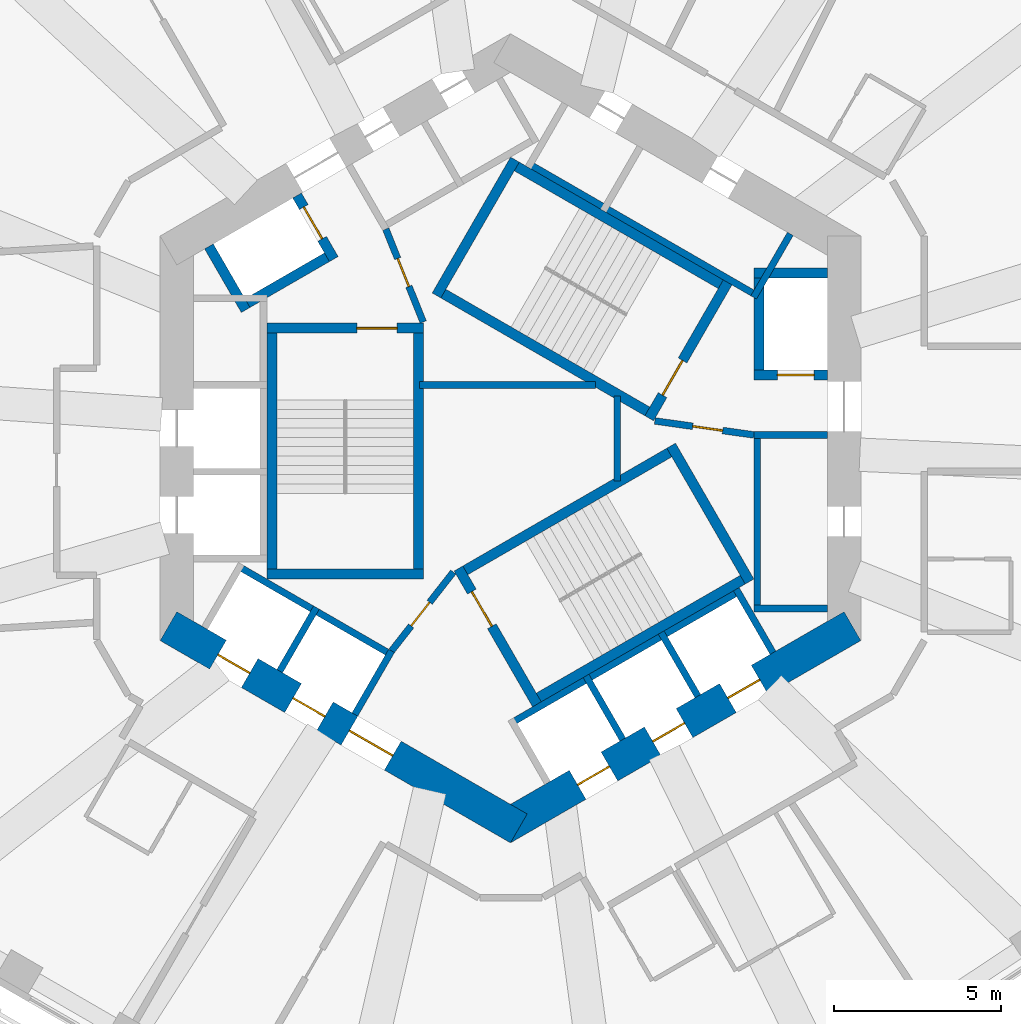
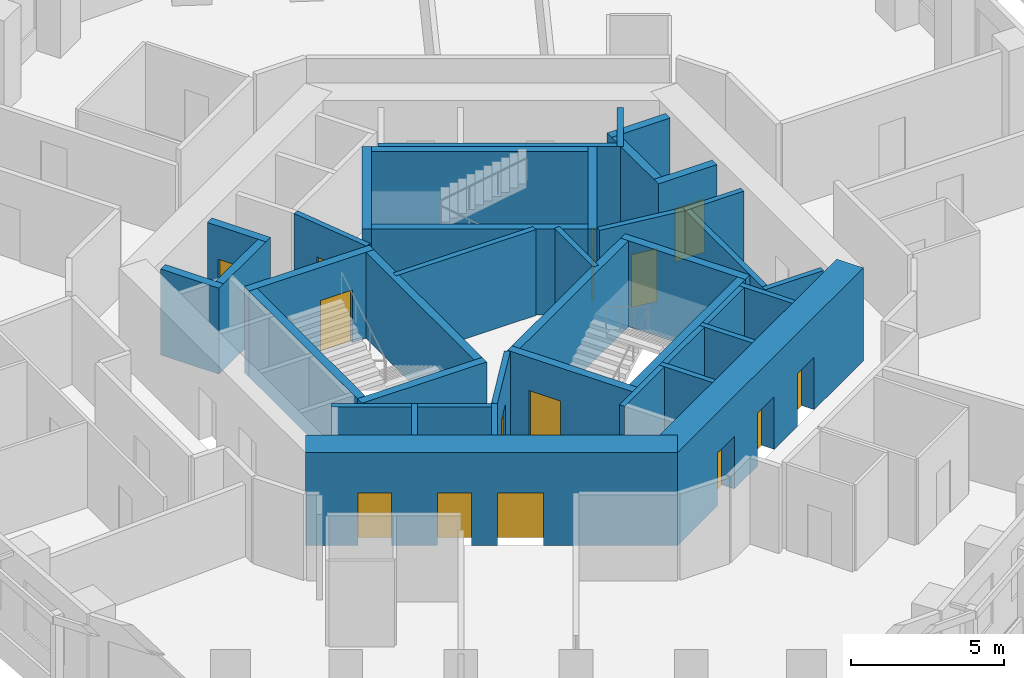
# One storey, part 5 of 11: 37 walls, 14 doors, 14 openings.
"""IFC4 building model written with IfcOpenShell, lengths in metres."""

from ifc_helpers import new_model, si_unit, direction, frame, frame_2d, origin, place, context, subcontext, project, spatial, rectangle, extrude, material, layer, layer_set, type_object, element, fill, save


model = new_model("IFC4")

# Units and contexts
model_context = context("Model", 3, precision=1e-05, world=origin(), true_north=direction((0.0, 1.0)))
body_context = subcontext(model_context, "Body", "Model", "MODEL_VIEW")
ifc_project = project(units=[si_unit("LENGTHUNIT", "METRE"), si_unit("AREAUNIT", "SQUARE_METRE"), si_unit("VOLUMEUNIT", "CUBIC_METRE"), si_unit("PLANEANGLEUNIT", "RADIAN"), si_unit("MASSUNIT", "GRAM", prefix="KILO")], contexts=[model_context])

# Site, building, storey
site_placement = place(None, origin())
site = spatial("IfcSite", under=ifc_project, at=site_placement, CompositionType="ELEMENT")
building_placement = place(site_placement, origin())
building = spatial("IfcBuilding", under=site, at=building_placement, Name="Vanh Sen Convention Tower", CompositionType="ELEMENT")
storey_placement = place(building_placement, frame((0.0, 0.0, 146.60009765625)))
storey = spatial("IfcBuildingStorey", under=building, at=storey_placement, Name="L35", CompositionType="ELEMENT", Elevation=146.60009765625)

# Wall, openings, doors
ifc_material_1 = material(Name="Concrete C80/95", Category="concrete")
ifc_layer_1 = layer(ifc_material_1, 1.0)
ifc_layer_set_1 = layer_set([ifc_layer_1], Name="Concrete C80/95")
wall_type_1 = type_object("IfcWallType", Name="Core outer wall 1000 C80/95", PredefinedType="SHEAR", material=ifc_layer_set_1)
wall_1_placement = place(storey_placement, frame((-10.25, -5.629150390625, 0.0), z_axis=(0.0, 0.0, 1.0), x_axis=(0.866022616891, -0.50000482701, 0.0)))
wall_1 = element("IfcWall", 1, at=wall_1_placement, inside=storey, type_object=wall_type_1, Name="Core wall face SW L35", PredefinedType="SHEAR", context=body_context, shape_type="SweptSolid", body=[
    extrude(rectangle(XDim=12.12451171875, YDim=1.0, at=frame_2d((6.062255859375, 0.0))), origin(), (0.0, 0.0, 1.0), 3.699951171875),
])
opening_1_placement = place(wall_1_placement, frame((6.26220703125, 0.0, 0.0)))
opening_1 = element("IfcOpeningElement", 2, at=opening_1_placement, cuts=wall_1, Name="Opening D35003", PredefinedType="OPENING", context=body_context, shape_type="SweptSolid", body=[
    extrude(rectangle(XDim=1.5, YDim=2.10009765625, at=frame_2d((0.75, 1.050048828125))), frame((0.0, 0.510009765625, 0.0), z_axis=(0.0, -1.0, 0.0), x_axis=(1.0, 0.0, 0.0)), (0.0, 0.0, 1.0), 1.02001953125),
])
opening_2_placement = place(wall_1_placement, frame((1.712158203125, 0.0, 0.0)))
opening_2 = element("IfcOpeningElement", 3, at=opening_2_placement, cuts=wall_1, Name="Opening LD-HR3", PredefinedType="OPENING", context=body_context, shape_type="SweptSolid", body=[
    extrude(rectangle(XDim=1.10009765625, YDim=2.10009765625, at=frame_2d((0.550048828125, 1.050048828125))), frame((0.0, 0.510009765625, 0.0), z_axis=(0.0, -1.0, 0.0), x_axis=(1.0, 0.0, 0.0)), (0.0, 0.0, 1.0), 1.02001953125),
])
opening_3_placement = place(wall_1_placement, frame((4.312255859375, 0.0, 0.0)))
opening_3 = element("IfcOpeningElement", 4, at=opening_3_placement, cuts=wall_1, Name="Opening LD-HR4", PredefinedType="OPENING", context=body_context, shape_type="SweptSolid", body=[
    extrude(rectangle(XDim=1.10009765625, YDim=2.10009765625, at=frame_2d((0.550048828125, 1.050048828125))), frame((0.0, 0.510009765625, 0.0), z_axis=(0.0, -1.0, 0.0), x_axis=(1.0, 0.0, 0.0)), (0.0, 0.0, 1.0), 1.02001953125),
])
ifc_material_2 = material(Name="Stainless steel", Category="steel")
door_type_1 = type_object("IfcDoorType", Name="Lift landing door 1100", OperationType="DOUBLE_DOOR_SLIDING", PredefinedType="DOOR", material=ifc_material_2)
door_1_placement = place(opening_2_placement, origin())
door_1 = element("IfcDoor", 5, at=door_1_placement, inside=storey, type_object=door_type_1, Name="Lift HR3 landing door LD-HR3", OperationType="DOUBLE_DOOR_SLIDING", OverallHeight=2.10009765625, OverallWidth=1.10009765625, PredefinedType="DOOR", context=body_context, shape_type="SweptSolid", body=[
    extrude(rectangle(XDim=1.10009765625, YDim=2.10009765625, at=frame_2d((0.550048828125, 1.050048828125))), frame((0.0, 0.02490234375, 0.0), z_axis=(0.0, -1.0, 0.0), x_axis=(1.0, 0.0, 0.0)), (0.0, 0.0, 1.0), 0.050048828125),
])
fill(opening_2, door_1)
door_2_placement = place(opening_3_placement, origin())
door_2 = element("IfcDoor", 6, at=door_2_placement, inside=storey, type_object=door_type_1, Name="Lift HR4 landing door LD-HR4", OperationType="DOUBLE_DOOR_SLIDING", OverallHeight=2.10009765625, OverallWidth=1.10009765625, PredefinedType="DOOR", context=body_context, shape_type="SweptSolid", body=[
    extrude(rectangle(XDim=1.10009765625, YDim=2.10009765625, at=frame_2d((0.550048828125, 1.050048828125))), frame((0.0, 0.02490234375, 0.0), z_axis=(0.0, -1.0, 0.0), x_axis=(1.0, 0.0, 0.0)), (0.0, 0.0, 1.0), 0.050048828125),
])
fill(opening_3, door_2)
ifc_material_3 = material(Name="Steel S355", Category="steel")
door_type_2 = type_object("IfcDoorType", Name="Stair lobby door 1500", OperationType="DOUBLE_DOOR_SINGLE_SWING", PredefinedType="DOOR", material=ifc_material_3)
door_3_placement = place(opening_1_placement, origin())
door_3 = element("IfcDoor", 7, at=door_3_placement, inside=storey, type_object=door_type_2, Name="Stair lobby door D35003", OperationType="DOUBLE_DOOR_SINGLE_SWING", OverallHeight=2.10009765625, OverallWidth=1.5, PredefinedType="DOOR", context=body_context, shape_type="SweptSolid", body=[
    extrude(rectangle(XDim=1.5, YDim=2.10009765625, at=frame_2d((0.75, 1.050048828125))), frame((0.0, 0.02490234375, 0.0), z_axis=(0.0, -1.0, 0.0), x_axis=(1.0, 0.0, 0.0)), (0.0, 0.0, 1.0), 0.050048828125),
])
fill(opening_1, door_3)

wall_2_placement = place(storey_placement, frame((-0.25, -11.69140625, 0.0), z_axis=(0.0, 0.0, 1.0), x_axis=(0.866022616891, 0.50000482701, 0.0)))
wall_2 = element("IfcWall", 8, at=wall_2_placement, inside=storey, type_object=wall_type_1, Name="Core wall face SE L35", PredefinedType="SHEAR", context=body_context, shape_type="SweptSolid", body=[
    extrude(rectangle(XDim=12.12451171875, YDim=1.0, at=frame_2d((6.062255859375, 0.0))), origin(), (0.0, 0.0, 1.0), 3.699951171875),
])
opening_4_placement = place(wall_2_placement, frame((2.6123046875, 0.0, 0.0)))
opening_4 = element("IfcOpeningElement", 9, at=opening_4_placement, cuts=wall_2, Name="Opening LD-HR5", PredefinedType="OPENING", context=body_context, shape_type="SweptSolid", body=[
    extrude(rectangle(XDim=1.10009765625, YDim=2.10009765625, at=frame_2d((0.550048828125, 1.050048828125))), frame((0.0, 0.510009765625, 0.0), z_axis=(0.0, -1.0, 0.0), x_axis=(1.0, 0.0, 0.0)), (0.0, 0.0, 1.0), 1.02001953125),
])
opening_5_placement = place(wall_2_placement, frame((5.212158203125, 0.0, 0.0)))
opening_5 = element("IfcOpeningElement", 10, at=opening_5_placement, cuts=wall_2, Name="Opening LD-HR6", PredefinedType="OPENING", context=body_context, shape_type="SweptSolid", body=[
    extrude(rectangle(XDim=1.10009765625, YDim=2.10009765625, at=frame_2d((0.550048828125, 1.050048828125))), frame((0.0, 0.510009765625, 0.0), z_axis=(0.0, -1.0, 0.0), x_axis=(1.0, 0.0, 0.0)), (0.0, 0.0, 1.0), 1.02001953125),
])
opening_6_placement = place(wall_2_placement, frame((7.812255859375, 0.0, 0.0)))
opening_6 = element("IfcOpeningElement", 11, at=opening_6_placement, cuts=wall_2, Name="Opening LD-SV1", PredefinedType="OPENING", context=body_context, shape_type="SweptSolid", body=[
    extrude(rectangle(XDim=1.10009765625, YDim=2.10009765625, at=frame_2d((0.550048828125, 1.050048828125))), frame((0.0, 0.510009765625, 0.0), z_axis=(0.0, -1.0, 0.0), x_axis=(1.0, 0.0, 0.0)), (0.0, 0.0, 1.0), 1.02001953125),
])
door_4_placement = place(opening_4_placement, origin())
door_4 = element("IfcDoor", 12, at=door_4_placement, inside=storey, type_object=door_type_1, Name="Lift HR5 landing door LD-HR5", OperationType="DOUBLE_DOOR_SLIDING", OverallHeight=2.10009765625, OverallWidth=1.10009765625, PredefinedType="DOOR", context=body_context, shape_type="SweptSolid", body=[
    extrude(rectangle(XDim=1.10009765625, YDim=2.10009765625, at=frame_2d((0.550048828125, 1.050048828125))), frame((0.0, 0.02490234375, 0.0), z_axis=(0.0, -1.0, 0.0), x_axis=(1.0, 0.0, 0.0)), (0.0, 0.0, 1.0), 0.050048828125),
])
fill(opening_4, door_4)
door_5_placement = place(opening_5_placement, origin())
door_5 = element("IfcDoor", 13, at=door_5_placement, inside=storey, type_object=door_type_1, Name="Lift HR6 landing door LD-HR6", OperationType="DOUBLE_DOOR_SLIDING", OverallHeight=2.10009765625, OverallWidth=1.10009765625, PredefinedType="DOOR", context=body_context, shape_type="SweptSolid", body=[
    extrude(rectangle(XDim=1.10009765625, YDim=2.10009765625, at=frame_2d((0.550048828125, 1.050048828125))), frame((0.0, 0.02490234375, 0.0), z_axis=(0.0, -1.0, 0.0), x_axis=(1.0, 0.0, 0.0)), (0.0, 0.0, 1.0), 0.050048828125),
])
fill(opening_5, door_5)
door_6_placement = place(opening_6_placement, origin())
door_6 = element("IfcDoor", 14, at=door_6_placement, inside=storey, type_object=door_type_1, Name="Lift SV1 landing door LD-SV1", OperationType="DOUBLE_DOOR_SLIDING", OverallHeight=2.10009765625, OverallWidth=1.10009765625, PredefinedType="DOOR", context=body_context, shape_type="SweptSolid", body=[
    extrude(rectangle(XDim=1.10009765625, YDim=2.10009765625, at=frame_2d((0.550048828125, 1.050048828125))), frame((0.0, 0.02490234375, 0.0), z_axis=(0.0, -1.0, 0.0), x_axis=(1.0, 0.0, 0.0)), (0.0, 0.0, 1.0), 0.050048828125),
])
fill(opening_6, door_6)

# Walls
ifc_material_4 = material(Name="Masonry blockwork", Category="masonry")
ifc_layer_2 = layer(ifc_material_4, 0.199951171875)
ifc_layer_set_2 = layer_set([ifc_layer_2], Name="Masonry blockwork")
wall_type_2 = type_object("IfcWallType", Name="Core partition 200", PredefinedType="PARTITIONING", material=ifc_layer_set_2)
wall_3_placement = place(storey_placement, frame((-2.719970703125, 1.60009765625, 0.0), z_axis=(0.0, 0.0, 1.0), x_axis=(1.0, 0.0, 0.0)))
element("IfcWall", 15, at=wall_3_placement, inside=storey, type_object=wall_type_2, Name="Core partition L35", PredefinedType="PARTITIONING", context=body_context, shape_type="SweptSolid", body=[
    extrude(rectangle(XDim=5.2685546875, YDim=0.199951171875, at=frame_2d((2.63427734375, 0.0))), origin(), (0.0, 0.0, 1.0), 3.419921875),
])
wall_4_placement = place(storey_placement, frame((3.199951171875, -1.274658203125, 0.0), z_axis=(0.0, 0.0, 1.0), x_axis=(0.0, 1.0, 0.0)))
element("IfcWall", 16, at=wall_4_placement, inside=storey, type_object=wall_type_2, Name="Core partition L35", PredefinedType="PARTITIONING", context=body_context, shape_type="SweptSolid", body=[
    extrude(rectangle(XDim=2.54931640625, YDim=0.199951171875, at=frame_2d((1.274658203125, 0.0))), origin(), (0.0, 0.0, 1.0), 3.419921875),
])

# Wall, opening, door
ifc_material_5 = material(Name="Concrete C60/75", Category="concrete")
ifc_layer_3 = layer(ifc_material_5, 0.300048828125)
ifc_layer_set_3 = layer_set([ifc_layer_3], Name="Concrete C60/75")
wall_type_3 = type_object("IfcWallType", Name="Fire-fighting lift shaft wall 300", PredefinedType="SHEAR", material=ifc_layer_set_3)
wall_5_placement = place(storey_placement, frame((7.300048828125, 1.89990234375, 0.0), z_axis=(0.0, 0.0, 1.0), x_axis=(1.0, 0.0, 0.0)))
wall_5 = element("IfcWall", 17, at=wall_5_placement, inside=storey, type_object=wall_type_3, Name="Fire-fighting lift shaft wall L35", PredefinedType="SHEAR", context=body_context, shape_type="SweptSolid", body=[
    extrude(rectangle(XDim=2.199951171875, YDim=0.300048828125, at=frame_2d((1.10009765625, 0.0))), origin(), (0.0, 0.0, 1.0), 3.419921875),
])
opening_7_placement = place(wall_5_placement, frame((0.699951171875, 0.0, 0.0)))
opening_7 = element("IfcOpeningElement", 18, at=opening_7_placement, cuts=wall_5, Name="Opening LD-FF1", PredefinedType="OPENING", context=body_context, shape_type="SweptSolid", body=[
    extrude(rectangle(XDim=1.10009765625, YDim=2.10009765625, at=frame_2d((0.550048828125, 1.050048828125))), frame((0.0, 0.159912109375, 0.0), z_axis=(0.0, -1.0, 0.0), x_axis=(1.0, 0.0, 0.0)), (0.0, 0.0, 1.0), 0.320068359375),
])
door_type_3 = type_object("IfcDoorType", Name="Fire-fighting lift landing door 1100", OperationType="DOUBLE_DOOR_SLIDING", PredefinedType="DOOR", material=ifc_material_2)
door_7_placement = place(opening_7_placement, origin())
door_7 = element("IfcDoor", 19, at=door_7_placement, inside=storey, type_object=door_type_3, Name="Lift FF1 landing door LD-FF1", OperationType="DOUBLE_DOOR_SLIDING", OverallHeight=2.10009765625, OverallWidth=1.10009765625, PredefinedType="DOOR", context=body_context, shape_type="SweptSolid", body=[
    extrude(rectangle(XDim=1.10009765625, YDim=2.10009765625, at=frame_2d((0.550048828125, 1.050048828125))), frame((0.0, 0.02490234375, 0.0), z_axis=(0.0, -1.0, 0.0), x_axis=(1.0, 0.0, 0.0)), (0.0, 0.0, 1.0), 0.050048828125),
])
fill(opening_7, door_7)

# Walls
wall_6_placement = place(storey_placement, frame((7.449951171875, 1.75, 0.0), z_axis=(0.0, 0.0, 1.0), x_axis=(0.0, 1.0, 0.0)))
element("IfcWall", 20, at=wall_6_placement, inside=storey, type_object=wall_type_3, Name="Fire-fighting lift shaft wall L35", PredefinedType="SHEAR", context=body_context, shape_type="SweptSolid", body=[
    extrude(rectangle(XDim=3.35009765625, YDim=0.300048828125, at=frame_2d((1.675048828125, 0.0))), origin(), (0.0, 0.0, 1.0), 3.419921875),
])
wall_7_placement = place(storey_placement, frame((7.300048828125, 4.949951171875, 0.0), z_axis=(0.0, 0.0, 1.0), x_axis=(1.0, 0.0, 0.0)))
element("IfcWall", 21, at=wall_7_placement, inside=storey, type_object=wall_type_3, Name="Fire-fighting lift shaft wall L35", PredefinedType="SHEAR", context=body_context, shape_type="SweptSolid", body=[
    extrude(rectangle(XDim=2.199951171875, YDim=0.300048828125, at=frame_2d((1.10009765625, 0.0))), origin(), (0.0, 0.0, 1.0), 3.419921875),
])

# Wall, opening, door
wall_8_placement = place(storey_placement, frame((-5.29541015625, 5.3720703125, 0.0), z_axis=(0.0, 0.0, 1.0), x_axis=(-0.500077893725, 0.86598042715, 0.0)))
wall_8 = element("IfcWall", 22, at=wall_8_placement, inside=storey, type_object=wall_type_3, Name="Fire-fighting lift shaft wall L35", PredefinedType="SHEAR", context=body_context, shape_type="SweptSolid", body=[
    extrude(rectangle(XDim=2.199951171875, YDim=0.300048828125, at=frame_2d((1.10009765625, 0.0))), origin(), (0.0, 0.0, 1.0), 3.419921875),
])
opening_8_placement = place(wall_8_placement, frame((0.699951171875, 0.0, 0.0)))
opening_8 = element("IfcOpeningElement", 23, at=opening_8_placement, cuts=wall_8, Name="Opening LD-FF2", PredefinedType="OPENING", context=body_context, shape_type="SweptSolid", body=[
    extrude(rectangle(XDim=1.10009765625, YDim=2.10009765625, at=frame_2d((0.550048828125, 1.050048828125))), frame((0.0, 0.159912109375, 0.0), z_axis=(0.0, -1.0, 0.0), x_axis=(1.0, 0.0, 0.0)), (0.0, 0.0, 1.0), 0.320068359375),
])
door_8_placement = place(opening_8_placement, origin())
door_8 = element("IfcDoor", 24, at=door_8_placement, inside=storey, type_object=door_type_3, Name="Lift FF2 landing door LD-FF2", OperationType="DOUBLE_DOOR_SLIDING", OverallHeight=2.10009765625, OverallWidth=1.10009765625, PredefinedType="DOOR", context=body_context, shape_type="SweptSolid", body=[
    extrude(rectangle(XDim=1.10009765625, YDim=2.10009765625, at=frame_2d((0.550048828125, 1.050048828125))), frame((0.0, 0.02490234375, 0.0), z_axis=(0.0, -1.0, 0.0), x_axis=(1.0, 0.0, 0.0)), (0.0, 0.0, 1.0), 0.050048828125),
])
fill(opening_8, door_8)

# Walls
wall_9_placement = place(storey_placement, frame((-5.240478515625, 5.576904296875, 0.0), z_axis=(0.0, 0.0, 1.0), x_axis=(-0.866014461049, -0.500018952895, 0.0)))
element("IfcWall", 25, at=wall_9_placement, inside=storey, type_object=wall_type_3, Name="Fire-fighting lift shaft wall L35", PredefinedType="SHEAR", context=body_context, shape_type="SweptSolid", body=[
    extrude(rectangle(XDim=3.349853515625, YDim=0.300048828125, at=frame_2d((1.6748046875, 0.0))), origin(), (0.0, 0.0, 1.0), 3.419921875),
])
wall_10_placement = place(storey_placement, frame((-7.936767578125, 3.846923828125, 0.0), z_axis=(0.0, 0.0, 1.0), x_axis=(-0.50002983664, 0.866008176907, 0.0)))
element("IfcWall", 26, at=wall_10_placement, inside=storey, type_object=wall_type_3, Name="Fire-fighting lift shaft wall L35", PredefinedType="SHEAR", context=body_context, shape_type="SweptSolid", body=[
    extrude(rectangle(XDim=2.199951171875, YDim=0.300048828125, at=frame_2d((1.10009765625, 0.0))), origin(), (0.0, 0.0, 1.0), 3.419921875),
])
ifc_material_6 = material(Name="Concrete C40/50", Category="concrete")
ifc_layer_4 = layer(ifc_material_6, 0.199951171875)
ifc_layer_set_4 = layer_set([ifc_layer_4], Name="Concrete C40/50")
wall_type_4 = type_object("IfcWallType", Name="Lift shaft wall 200", PredefinedType="PARTITIONING", material=ifc_layer_set_4)
wall_11_placement = place(storey_placement, frame((7.39990234375, -5.199951171875, 0.0), z_axis=(0.0, 0.0, 1.0), x_axis=(0.0, 1.0, 0.0)))
element("IfcWall", 27, at=wall_11_placement, inside=storey, type_object=wall_type_4, Name="Lift shaft wall L35", PredefinedType="PARTITIONING", context=body_context, shape_type="SweptSolid", body=[
    extrude(rectangle(XDim=5.39990234375, YDim=0.199951171875, at=frame_2d((2.699951171875, 0.0))), origin(), (0.0, 0.0, 1.0), 3.419921875),
])
for number, where, z_axis, x_axis, name in (
    (28, (7.300048828125, -5.10009765625, 0.0), (0.0, 0.0, 1.0), (1.0, 0.0, 0.0), "Lift shaft wall L35"),
    (29, (7.300048828125, 0.10009765625, 0.0), (0.0, 0.0, 1.0), (1.0, 0.0, 0.0), "Lift shaft wall L35"),
):
    element("IfcWall", number, at=place(storey_placement, frame(where, z_axis=z_axis, x_axis=x_axis)), inside=storey, type_object=wall_type_4, Name=name, PredefinedType="PARTITIONING", context=body_context, shape_type="SweptSolid", body=[
        extrude(rectangle(XDim=2.199951171875, YDim=0.199951171875, at=frame_2d((1.10009765625, 0.0))), origin(), (0.0, 0.0, 1.0), 3.419921875),
    ])
wall_12_placement = place(storey_placement, frame((7.423828125, 4.258544921875, 0.0), z_axis=(0.0, 0.0, 1.0), x_axis=(-0.866026010844, 0.49999894854, 0.0)))
element("IfcWall", 30, at=wall_12_placement, inside=storey, type_object=wall_type_4, Name="Lift shaft wall L35", PredefinedType="PARTITIONING", context=body_context, shape_type="SweptSolid", body=[
    extrude(rectangle(XDim=8.0, YDim=0.199951171875, at=frame_2d((4.0, 0.0))), origin(), (0.0, 0.0, 1.0), 3.419921875),
])
wall_13_placement = place(storey_placement, frame((7.287353515625, 4.221923828125, 0.0), z_axis=(0.0, 0.0, 1.0), x_axis=(0.499946605688, 0.86605622881, 0.0)))
element("IfcWall", 31, at=wall_13_placement, inside=storey, type_object=wall_type_4, Name="Lift shaft wall L35", PredefinedType="PARTITIONING", context=body_context, shape_type="SweptSolid", body=[
    extrude(rectangle(XDim=2.199951171875, YDim=0.199951171875, at=frame_2d((1.10009765625, 0.0))), origin(), (0.0, 0.0, 1.0), 3.419921875),
])
wall_14_placement = place(storey_placement, frame((-8.203369140625, -3.80859375, 0.0), z_axis=(0.0, 0.0, 1.0), x_axis=(0.866028230842, -0.499995103361, 0.0)))
element("IfcWall", 32, at=wall_14_placement, inside=storey, type_object=wall_type_4, Name="Lift shaft wall L35", PredefinedType="PARTITIONING", context=body_context, shape_type="SweptSolid", body=[
    extrude(rectangle(XDim=5.39990234375, YDim=0.199951171875, at=frame_2d((2.699951171875, 0.0))), origin(), (0.0, 0.0, 1.0), 3.419921875),
])
wall_15_placement = place(storey_placement, frame((-5.815185546875, -5.072021484375, 0.0), z_axis=(0.0, 0.0, 1.0), x_axis=(-0.499946605688, -0.86605622881, 0.0)))
element("IfcWall", 33, at=wall_15_placement, inside=storey, type_object=wall_type_4, Name="Lift shaft wall L35", PredefinedType="PARTITIONING", context=body_context, shape_type="SweptSolid", body=[
    extrude(rectangle(XDim=2.199951171875, YDim=0.199951171875, at=frame_2d((1.10009765625, 0.0))), origin(), (0.0, 0.0, 1.0), 3.419921875),
])
wall_16_placement = place(storey_placement, frame((-3.5634765625, -6.3720703125, 0.0), z_axis=(0.0, 0.0, 1.0), x_axis=(-0.499994660107, -0.866028486751, 0.0)))
element("IfcWall", 34, at=wall_16_placement, inside=storey, type_object=wall_type_4, Name="Lift shaft wall L35", PredefinedType="PARTITIONING", context=body_context, shape_type="SweptSolid", body=[
    extrude(rectangle(XDim=2.19970703125, YDim=0.199951171875, at=frame_2d((1.099853515625, 0.0))), origin(), (0.0, 0.0, 1.0), 3.419921875),
])
wall_17_placement = place(storey_placement, frame((-0.02392578125, -8.55859375, 0.0), z_axis=(0.0, 0.0, 1.0), x_axis=(0.866026010844, 0.49999894854, 0.0)))
element("IfcWall", 35, at=wall_17_placement, inside=storey, type_object=wall_type_4, Name="Lift shaft wall L35", PredefinedType="PARTITIONING", context=body_context, shape_type="SweptSolid", body=[
    extrude(rectangle(XDim=8.0, YDim=0.199951171875, at=frame_2d((4.0, 0.0))), origin(), (0.0, 0.0, 1.0), 3.419921875),
])
for number, where, z_axis, x_axis, name in (
    (36, (2.264404296875, -7.1220703125, 0.0), (0.0, 0.0, 1.0), (0.500077893725, -0.86598042715, 0.0), "Lift shaft wall L35"),
    (37, (4.51611328125, -5.822021484375, 0.0), (0.0, 0.0, 1.0), (0.499946605688, -0.86605622881, 0.0), "Lift shaft wall L35"),
    (38, (6.767578125, -4.52197265625, 0.0), (0.0, 0.0, 1.0), (0.50002983664, -0.866008176907, 0.0), "Lift shaft wall L35"),
):
    element("IfcWall", number, at=place(storey_placement, frame(where, z_axis=z_axis, x_axis=x_axis)), inside=storey, type_object=wall_type_4, Name=name, PredefinedType="PARTITIONING", context=body_context, shape_type="SweptSolid", body=[
        extrude(rectangle(XDim=2.199951171875, YDim=0.199951171875, at=frame_2d((1.10009765625, 0.0))), origin(), (0.0, 0.0, 1.0), 3.419921875),
    ])

# Wall, opening, door
ifc_layer_5 = layer(ifc_material_6, 0.199951171875)
ifc_layer_set_5 = layer_set([ifc_layer_5], Name="Concrete C40/50")
wall_type_5 = type_object("IfcWallType", Name="Stair lobby wall 200", PredefinedType="PARTITIONING", material=ifc_layer_set_5)
wall_18_placement = place(storey_placement, frame((4.327392578125, 0.52099609375, 0.0), z_axis=(0.0, 0.0, 1.0), x_axis=(0.990124376366, -0.14019172346, 0.0)))
wall_18 = element("IfcWall", 39, at=wall_18_placement, inside=storey, type_object=wall_type_5, Name="Stair lobby wall L35", PredefinedType="PARTITIONING", context=body_context, shape_type="SweptSolid", body=[
    extrude(rectangle(XDim=3.002197265625, YDim=0.199951171875, at=frame_2d((1.5009765625, 0.0))), origin(), (0.0, 0.0, 1.0), 3.419921875),
])
opening_9_placement = place(wall_18_placement, frame((1.14990234375, 0.0, 0.0)))
opening_9 = element("IfcOpeningElement", 40, at=opening_9_placement, cuts=wall_18, Name="Opening D35007", PredefinedType="OPENING", context=body_context, shape_type="SweptSolid", body=[
    extrude(rectangle(XDim=0.89990234375, YDim=2.10009765625, at=frame_2d((0.449951171875, 1.050048828125))), frame((0.0, 0.10986328125, 0.0), z_axis=(0.0, -1.0, 0.0), x_axis=(1.0, 0.0, 0.0)), (0.0, 0.0, 1.0), 0.219970703125),
])
door_type_4 = type_object("IfcDoorType", Name="Plant door 900", OperationType="SINGLE_SWING_LEFT", PredefinedType="DOOR", material=ifc_material_3)
door_9_placement = place(opening_9_placement, origin())
door_9 = element("IfcDoor", 41, at=door_9_placement, inside=storey, type_object=door_type_4, Name="Plant door D35007", OperationType="SINGLE_SWING_LEFT", OverallHeight=2.10009765625, OverallWidth=0.89990234375, PredefinedType="DOOR", context=body_context, shape_type="SweptSolid", body=[
    extrude(rectangle(XDim=0.89990234375, YDim=2.10009765625, at=frame_2d((0.449951171875, 1.050048828125))), frame((0.0, 0.02490234375, 0.0), z_axis=(0.0, -1.0, 0.0), x_axis=(1.0, 0.0, 0.0)), (0.0, 0.0, 1.0), 0.050048828125),
])
fill(opening_9, door_9)

wall_19_placement = place(storey_placement, frame((-2.614990234375, 3.487060546875, 0.0), z_axis=(0.0, 0.0, 1.0), x_axis=(-0.373576831041, 0.92759924068, 0.0)))
wall_19 = element("IfcWall", 42, at=wall_19_placement, inside=storey, type_object=wall_type_5, Name="Stair lobby wall L35", PredefinedType="PARTITIONING", context=body_context, shape_type="SweptSolid", body=[
    extrude(rectangle(XDim=3.002197265625, YDim=0.199951171875, at=frame_2d((1.5009765625, 0.0))), origin(), (0.0, 0.0, 1.0), 3.419921875),
])
opening_10_placement = place(wall_19_placement, frame((1.14990234375, 0.0, 0.0)))
opening_10 = element("IfcOpeningElement", 43, at=opening_10_placement, cuts=wall_19, Name="Opening D35008", PredefinedType="OPENING", context=body_context, shape_type="SweptSolid", body=[
    extrude(rectangle(XDim=0.89990234375, YDim=2.10009765625, at=frame_2d((0.449951171875, 1.050048828125))), frame((0.0, 0.10986328125, 0.0), z_axis=(0.0, -1.0, 0.0), x_axis=(1.0, 0.0, 0.0)), (0.0, 0.0, 1.0), 0.219970703125),
])
door_10_placement = place(opening_10_placement, origin())
door_10 = element("IfcDoor", 44, at=door_10_placement, inside=storey, type_object=door_type_4, Name="Plant door D35008", OperationType="SINGLE_SWING_LEFT", OverallHeight=2.10009765625, OverallWidth=0.89990234375, PredefinedType="DOOR", context=body_context, shape_type="SweptSolid", body=[
    extrude(rectangle(XDim=0.89990234375, YDim=2.10009765625, at=frame_2d((0.449951171875, 1.050048828125))), frame((0.0, 0.02490234375, 0.0), z_axis=(0.0, -1.0, 0.0), x_axis=(1.0, 0.0, 0.0)), (0.0, 0.0, 1.0), 0.050048828125),
])
fill(opening_10, door_10)

wall_20_placement = place(storey_placement, frame((-1.71240234375, -4.00830078125, 0.0), z_axis=(0.0, 0.0, 1.0), x_axis=(-0.616549420702, -0.787316208287, 0.0)))
wall_20 = element("IfcWall", 45, at=wall_20_placement, inside=storey, type_object=wall_type_5, Name="Stair lobby wall L35", PredefinedType="PARTITIONING", context=body_context, shape_type="SweptSolid", body=[
    extrude(rectangle(XDim=3.002197265625, YDim=0.199951171875, at=frame_2d((1.5009765625, 0.0))), origin(), (0.0, 0.0, 1.0), 3.419921875),
])
opening_11_placement = place(wall_20_placement, frame((1.14990234375, 0.0, 0.0)))
opening_11 = element("IfcOpeningElement", 46, at=opening_11_placement, cuts=wall_20, Name="Opening D35009", PredefinedType="OPENING", context=body_context, shape_type="SweptSolid", body=[
    extrude(rectangle(XDim=0.89990234375, YDim=2.10009765625, at=frame_2d((0.449951171875, 1.050048828125))), frame((0.0, 0.10986328125, 0.0), z_axis=(0.0, -1.0, 0.0), x_axis=(1.0, 0.0, 0.0)), (0.0, 0.0, 1.0), 0.219970703125),
])
door_11_placement = place(opening_11_placement, origin())
door_11 = element("IfcDoor", 47, at=door_11_placement, inside=storey, type_object=door_type_4, Name="Plant door D35009", OperationType="SINGLE_SWING_LEFT", OverallHeight=2.10009765625, OverallWidth=0.89990234375, PredefinedType="DOOR", context=body_context, shape_type="SweptSolid", body=[
    extrude(rectangle(XDim=0.89990234375, YDim=2.10009765625, at=frame_2d((0.449951171875, 1.050048828125))), frame((0.0, 0.02490234375, 0.0), z_axis=(0.0, -1.0, 0.0), x_axis=(1.0, 0.0, 0.0)), (0.0, 0.0, 1.0), 0.050048828125),
])
fill(opening_11, door_11)

ifc_layer_6 = layer(ifc_material_5, 0.300048828125)
ifc_layer_set_6 = layer_set([ifc_layer_6], Name="Concrete C60/75")
wall_type_6 = type_object("IfcWallType", Name="Stair wall 300", PredefinedType="SHEAR", material=ifc_layer_set_6)
wall_21_placement = place(storey_placement, frame((4.157958984375, 0.601806640625, 0.0), z_axis=(0.0, 0.0, 1.0), x_axis=(0.499977259774, 0.866038532462, 0.0)))
wall_21 = element("IfcWall", 48, at=wall_21_placement, inside=storey, type_object=wall_type_6, Name="Stair wall L35", PredefinedType="SHEAR", context=body_context, shape_type="SweptSolid", body=[
    extrude(rectangle(XDim=4.699951171875, YDim=0.300048828125, at=frame_2d((2.35009765625, 0.0))), origin(), (0.0, 0.0, 1.0), 3.419921875),
])
opening_12_placement = place(wall_21_placement, frame((0.800048828125, 0.0, 0.0)))
opening_12 = element("IfcOpeningElement", 49, at=opening_12_placement, cuts=wall_21, Name="Opening D35004", PredefinedType="OPENING", context=body_context, shape_type="SweptSolid", body=[
    extrude(rectangle(XDim=1.199951171875, YDim=2.10009765625, at=frame_2d((0.60009765625, 1.050048828125))), frame((0.0, 0.159912109375, 0.0), z_axis=(0.0, -1.0, 0.0), x_axis=(1.0, 0.0, 0.0)), (0.0, 0.0, 1.0), 0.320068359375),
])
door_type_5 = type_object("IfcDoorType", Name="Stair door 1200", OperationType="SINGLE_SWING_RIGHT", PredefinedType="DOOR", material=ifc_material_3)
door_12_placement = place(opening_12_placement, origin())
door_12 = element("IfcDoor", 50, at=door_12_placement, inside=storey, type_object=door_type_5, Name="Stair ST1 door D35004", OperationType="SINGLE_SWING_RIGHT", OverallHeight=2.10009765625, OverallWidth=1.199951171875, PredefinedType="DOOR", context=body_context, shape_type="SweptSolid", body=[
    extrude(rectangle(XDim=1.199951171875, YDim=2.10009765625, at=frame_2d((0.60009765625, 1.050048828125))), frame((0.0, 0.02490234375, 0.0), z_axis=(0.0, -1.0, 0.0), x_axis=(1.0, 0.0, 0.0)), (0.0, 0.0, 1.0), 0.050048828125),
])
fill(opening_12, door_12)

# Walls
wall_22_placement = place(storey_placement, frame((-2.216064453125, 4.28173828125, 0.0), z_axis=(0.0, 0.0, 1.0), x_axis=(0.499977259774, 0.866038532462, 0.0)))
element("IfcWall", 51, at=wall_22_placement, inside=storey, type_object=wall_type_6, Name="Stair wall L35", PredefinedType="SHEAR", context=body_context, shape_type="SweptSolid", body=[
    extrude(rectangle(XDim=4.699951171875, YDim=0.300048828125, at=frame_2d((2.35009765625, 0.0))), origin(), (0.0, 0.0, 1.0), 3.419921875),
])
for number, where, z_axis, x_axis, name in (
    (52, (4.10302734375, 0.806640625, 0.0), (0.0, 0.0, 1.0), (-0.866027801685, 0.499995846692, 0.0), "Stair wall L35"),
    (53, (6.302978515625, 4.6171875, 0.0), (0.0, 0.0, 1.0), (-0.866027801685, 0.499995846692, 0.0), "Stair wall L35"),
):
    element("IfcWall", number, at=place(storey_placement, frame(where, z_axis=z_axis, x_axis=x_axis)), inside=storey, type_object=wall_type_6, Name=name, PredefinedType="SHEAR", context=body_context, shape_type="SweptSolid", body=[
        extrude(rectangle(XDim=7.06005859375, YDim=0.300048828125, at=frame_2d((3.530029296875, 0.0))), origin(), (0.0, 0.0, 1.0), 3.419921875),
    ])

# Wall, opening, door
wall_23_placement = place(storey_placement, frame((-2.60009765625, 3.300048828125, 0.0), z_axis=(0.0, 0.0, 1.0), x_axis=(-1.0, 0.0, 0.0)))
wall_23 = element("IfcWall", 54, at=wall_23_placement, inside=storey, type_object=wall_type_6, Name="Stair wall L35", PredefinedType="SHEAR", context=body_context, shape_type="SweptSolid", body=[
    extrude(rectangle(XDim=4.699951171875, YDim=0.300048828125, at=frame_2d((2.35009765625, 0.0))), origin(), (0.0, 0.0, 1.0), 3.419921875),
])
opening_13_placement = place(wall_23_placement, frame((0.800048828125, 0.0, 0.0)))
opening_13 = element("IfcOpeningElement", 55, at=opening_13_placement, cuts=wall_23, Name="Opening D35005", PredefinedType="OPENING", context=body_context, shape_type="SweptSolid", body=[
    extrude(rectangle(XDim=1.199951171875, YDim=2.10009765625, at=frame_2d((0.60009765625, 1.050048828125))), frame((0.0, 0.159912109375, 0.0), z_axis=(0.0, -1.0, 0.0), x_axis=(1.0, 0.0, 0.0)), (0.0, 0.0, 1.0), 0.320068359375),
])
door_13_placement = place(opening_13_placement, origin())
door_13 = element("IfcDoor", 56, at=door_13_placement, inside=storey, type_object=door_type_5, Name="Stair ST2 door D35005", OperationType="SINGLE_SWING_RIGHT", OverallHeight=2.10009765625, OverallWidth=1.199951171875, PredefinedType="DOOR", context=body_context, shape_type="SweptSolid", body=[
    extrude(rectangle(XDim=1.199951171875, YDim=2.10009765625, at=frame_2d((0.60009765625, 1.050048828125))), frame((0.0, 0.02490234375, 0.0), z_axis=(0.0, -1.0, 0.0), x_axis=(1.0, 0.0, 0.0)), (0.0, 0.0, 1.0), 0.050048828125),
])
fill(opening_13, door_13)

# Walls
wall_24_placement = place(storey_placement, frame((-2.60009765625, -4.06005859375, 0.0), z_axis=(0.0, 0.0, 1.0), x_axis=(-1.0, 0.0, 0.0)))
element("IfcWall", 57, at=wall_24_placement, inside=storey, type_object=wall_type_6, Name="Stair wall L35", PredefinedType="SHEAR", context=body_context, shape_type="SweptSolid", body=[
    extrude(rectangle(XDim=4.699951171875, YDim=0.300048828125, at=frame_2d((2.35009765625, 0.0))), origin(), (0.0, 0.0, 1.0), 3.419921875),
])
for number, where, z_axis, x_axis, name in (
    (58, (-2.75, 3.14990234375, 0.0), (0.0, 0.0, 1.0), (0.0, -1.0, 0.0), "Stair wall L35"),
    (59, (-7.14990234375, 3.14990234375, 0.0), (0.0, 0.0, 1.0), (0.0, -1.0, 0.0), "Stair wall L35"),
):
    element("IfcWall", number, at=place(storey_placement, frame(where, z_axis=z_axis, x_axis=x_axis)), inside=storey, type_object=wall_type_6, Name=name, PredefinedType="SHEAR", context=body_context, shape_type="SweptSolid", body=[
        extrude(rectangle(XDim=7.059814453125, YDim=0.300048828125, at=frame_2d((3.52978515625, 0.0))), origin(), (0.0, 0.0, 1.0), 3.419921875),
    ])

# Wall, opening, door
wall_25_placement = place(storey_placement, frame((-1.557861328125, -3.901611328125, 0.0), z_axis=(0.0, 0.0, 1.0), x_axis=(0.499977259774, -0.866038532462, 0.0)))
wall_25 = element("IfcWall", 60, at=wall_25_placement, inside=storey, type_object=wall_type_6, Name="Stair wall L35", PredefinedType="SHEAR", context=body_context, shape_type="SweptSolid", body=[
    extrude(rectangle(XDim=4.699951171875, YDim=0.300048828125, at=frame_2d((2.35009765625, 0.0))), origin(), (0.0, 0.0, 1.0), 3.419921875),
])
opening_14_placement = place(wall_25_placement, frame((0.800048828125, 0.0, 0.0)))
opening_14 = element("IfcOpeningElement", 61, at=opening_14_placement, cuts=wall_25, Name="Opening D35006", PredefinedType="OPENING", context=body_context, shape_type="SweptSolid", body=[
    extrude(rectangle(XDim=1.199951171875, YDim=2.10009765625, at=frame_2d((0.60009765625, 1.050048828125))), frame((0.0, 0.159912109375, 0.0), z_axis=(0.0, -1.0, 0.0), x_axis=(1.0, 0.0, 0.0)), (0.0, 0.0, 1.0), 0.320068359375),
])
door_14_placement = place(opening_14_placement, origin())
door_14 = element("IfcDoor", 62, at=door_14_placement, inside=storey, type_object=door_type_5, Name="Stair ST3 door D35006", OperationType="SINGLE_SWING_RIGHT", OverallHeight=2.10009765625, OverallWidth=1.199951171875, PredefinedType="DOOR", context=body_context, shape_type="SweptSolid", body=[
    extrude(rectangle(XDim=1.199951171875, YDim=2.10009765625, at=frame_2d((0.60009765625, 1.050048828125))), frame((0.0, 0.02490234375, 0.0), z_axis=(0.0, -1.0, 0.0), x_axis=(1.0, 0.0, 0.0)), (0.0, 0.0, 1.0), 0.050048828125),
])
fill(opening_14, door_14)

# Walls
wall_26_placement = place(storey_placement, frame((4.816162109375, -0.2216796875, 0.0), z_axis=(0.0, 0.0, 1.0), x_axis=(0.499977259774, -0.866038532462, 0.0)))
element("IfcWall", 63, at=wall_26_placement, inside=storey, type_object=wall_type_6, Name="Stair wall L35", PredefinedType="SHEAR", context=body_context, shape_type="SweptSolid", body=[
    extrude(rectangle(XDim=4.699951171875, YDim=0.300048828125, at=frame_2d((2.35009765625, 0.0))), origin(), (0.0, 0.0, 1.0), 3.419921875),
])
for number, where, z_axis, x_axis, name in (
    (64, (-1.35302734375, -3.95654296875, 0.0), (0.0, 0.0, 1.0), (0.866027801685, 0.499995846692, 0.0), "Stair wall L35"),
    (65, (0.846923828125, -7.76708984375, 0.0), (0.0, 0.0, 1.0), (0.866027801685, 0.499995846692, 0.0), "Stair wall L35"),
):
    element("IfcWall", number, at=place(storey_placement, frame(where, z_axis=z_axis, x_axis=x_axis)), inside=storey, type_object=wall_type_6, Name=name, PredefinedType="SHEAR", context=body_context, shape_type="SweptSolid", body=[
        extrude(rectangle(XDim=7.06005859375, YDim=0.300048828125, at=frame_2d((3.530029296875, 0.0))), origin(), (0.0, 0.0, 1.0), 3.419921875),
    ])

save(model, "model.ifc")
